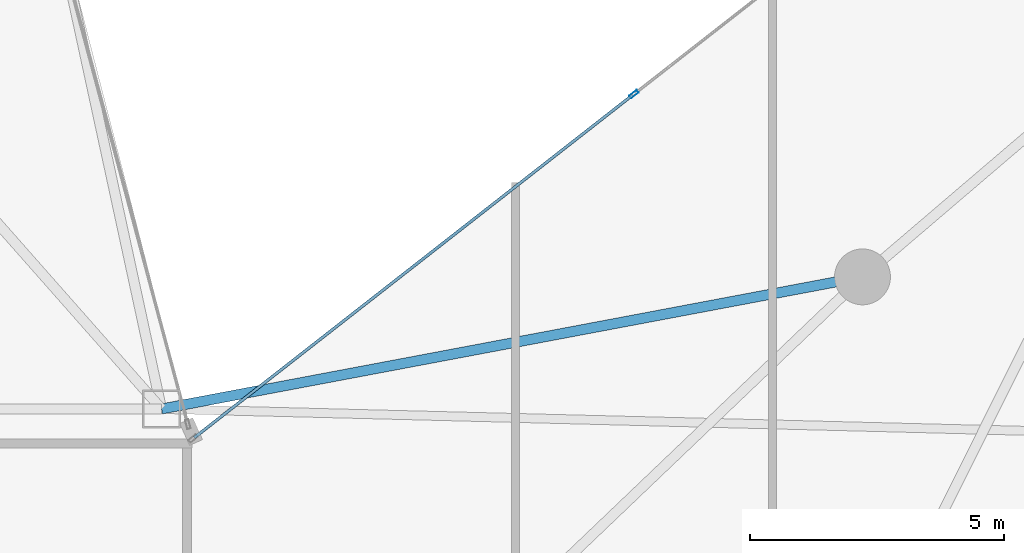
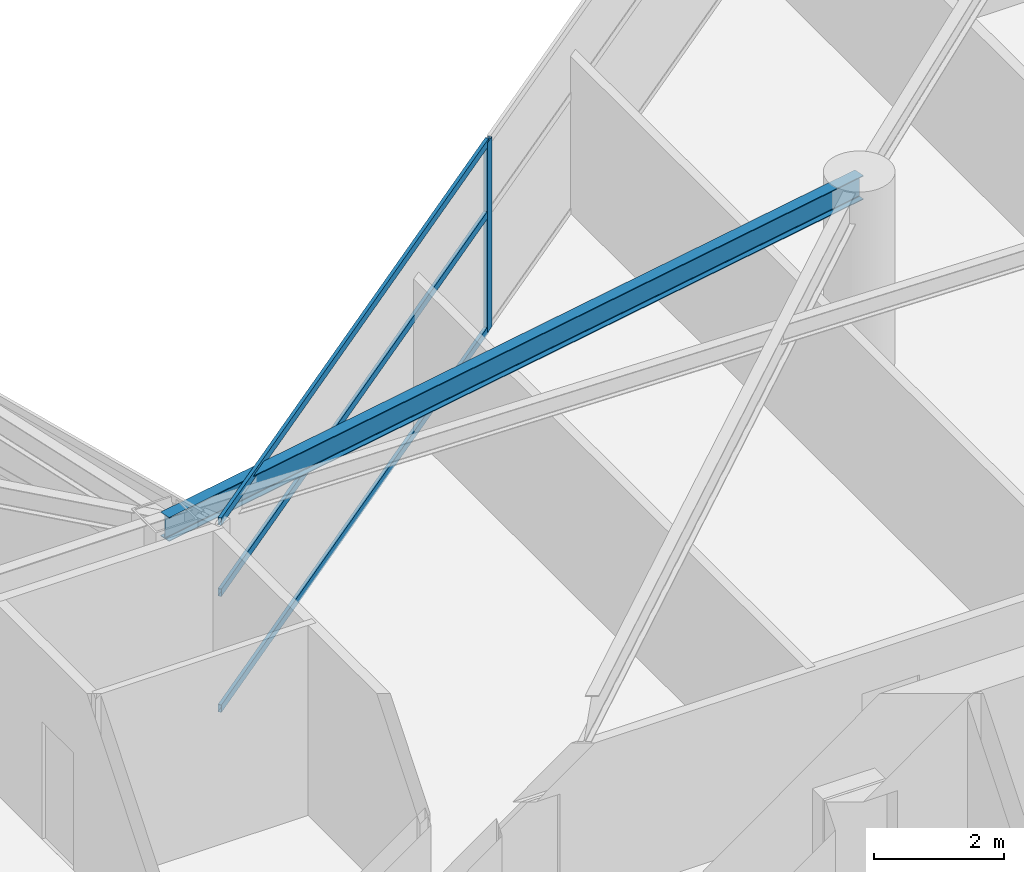
# One storey, part 11 of 29: 4 members, 1 beam, 1 element without a shape of its own.
"""IFC4 building model written with IfcOpenShell, lengths in metres."""

from ifc_helpers import new_model, si_unit, direction, frame, origin, origin_2d, place, context, subcontext, project, spatial, hollow_rectangle, i_section, extrude, material, layer, layer_set, material_profile, profile_set, type_object, element, aggregate, save


model = new_model("IFC4")

# Units and contexts
model_context = context("Model", 3, precision=1e-05, world=origin(), true_north=direction((0.0, 1.0)))
body_context = subcontext(model_context, "Body", "Model", "MODEL_VIEW")
ifc_project = project(units=[si_unit("LENGTHUNIT", "METRE"), si_unit("AREAUNIT", "SQUARE_METRE"), si_unit("VOLUMEUNIT", "CUBIC_METRE"), si_unit("PLANEANGLEUNIT", "RADIAN"), si_unit("MASSUNIT", "GRAM", prefix="KILO")], contexts=[model_context])

# Site, building, storey
site_placement = place(None, origin())
site = spatial("IfcSite", under=ifc_project, at=site_placement, CompositionType="ELEMENT")
building_placement = place(site_placement, origin())
building = spatial("IfcBuilding", under=site, at=building_placement, Name="Calvorn Quay Hotel", CompositionType="ELEMENT")
storey_placement = place(building_placement, frame((0.0, 0.0, 211.0)))
storey = spatial("IfcBuildingStorey", under=building, at=storey_placement, Name="L52", CompositionType="ELEMENT", Elevation=211.0)

# Beam
ifc_material_1 = material(Name="Steel Q355B", Category="steel")
ifc_material_profile_1 = material_profile(ifc_material_1, i_section(OverallWidth=0.199951171875, OverallDepth=0.449951171875, WebThickness=0.009033203125, FlangeThickness=0.013916015625, FilletRadius=0.01611328125, at=origin_2d()), Name="HN450x200x9x14")
ifc_profile_set_1 = profile_set([ifc_material_profile_1], Name="Steel Q355B")
beam_type = type_object("IfcBeamType", Name="BM-SPANDREL-Z3", PredefinedType="SPANDREL", material=ifc_profile_set_1)
beam_placement = place(storey_placement, frame((34.800048828125, 27.60009765625, 3.31494140625), z_axis=(-0.982709432406, -0.185154452988, 0.0), x_axis=(0.185154452988, -0.982709432406, 0.0)))
element("IfcBeam", 1, at=beam_placement, inside=storey, type_object=beam_type, Name="Beam BSP-L52-E4", PredefinedType="SPANDREL", context=body_context, shape_type="SweptSolid", body=[
    extrude(i_section(OverallWidth=0.199951171875, OverallDepth=0.449951171875, WebThickness=0.009033203125, FlangeThickness=0.013916015625, FilletRadius=0.01611328125, at=origin_2d()), origin(), (0.0, 0.0, 1.0), 14.04296875),
])

# Curtain wall, members
ifc_material_2 = material(Name="Champagne Bronze Anodised Aluminium and Low-E Glass", Category="aluminium")
ifc_layer = layer(ifc_material_2, 0.219970703125)
ifc_layer_set = layer_set([ifc_layer], Name="CW-SYS-Z3")
curtain_wall_type = type_object("IfcCurtainWallType", Name="CW-SYS-Z3", PredefinedType="NOTDEFINED", material=ifc_layer_set)
curtain_wall_placement = place(storey_placement, origin())
curtain_wall = element("IfcCurtainWall", 2, at=curtain_wall_placement, inside=storey, type_object=curtain_wall_type, Name="Inner Court Curtain Wall L52-NE1", PredefinedType="NOTDEFINED")
ifc_material_3 = material(Name="Champagne Bronze Anodised Aluminium 6063-T6", Category="aluminium")
ifc_material_profile_2 = material_profile(ifc_material_3, hollow_rectangle(XDim=0.068115234375, YDim=0.18505859375, WallThickness=0.00390625, at=origin_2d()), Name="ALU-M185x68x4")
ifc_profile_set_2 = profile_set([ifc_material_profile_2], Name="Champagne Bronze Anodised Aluminium 6063-T6")
member_type_1 = type_object("IfcMemberType", Name="CW-SYS-Z3-MUL", PredefinedType="MULLION", material=ifc_profile_set_2)
member_1_placement = place(storey_placement, frame((30.300048828125, 31.199951171875, 0.0), z_axis=(0.0, 0.0, 1.0), x_axis=(0.615819768044, -0.787887056174, 0.0)))
member_1 = element("IfcMember", 3, at=member_1_placement, type_object=member_type_1, Name="CW-L52-NE1 mullion 2", PredefinedType="MULLION", context=body_context, shape_type="SweptSolid", body=[
    extrude(hollow_rectangle(XDim=0.068115234375, YDim=0.18505859375, WallThickness=0.00390625, at=origin_2d()), origin(), (0.0, 0.0, 1.0), 3.56005859375),
])
ifc_material_4 = material(Name="Champagne Bronze Anodised Aluminium 6063-T6", Category="aluminium")
ifc_material_profile_3 = material_profile(ifc_material_4, hollow_rectangle(XDim=0.05810546875, YDim=0.139892578125, WallThickness=0.003173828125, at=origin_2d()), Name="ALU-T140x58x3.2")
ifc_profile_set_3 = profile_set([ifc_material_profile_3], Name="Champagne Bronze Anodised Aluminium 6063-T6")
member_type_2 = type_object("IfcMemberType", Name="CW-SYS-Z3-TRN", PredefinedType="USERDEFINED", material=ifc_profile_set_3)
member_2_placement = place(storey_placement, frame((30.2763671875, 31.181640625, 0.030029296875), z_axis=(-0.787886807538, -0.615820086152, 0.0), x_axis=(0.615820086152, -0.787886807538, 0.0)))
member_2 = element("IfcMember", 4, at=member_2_placement, type_object=member_type_2, Name="CW-L52-NE1 transom 2.1", ObjectType="TRANSOM", PredefinedType="USERDEFINED", context=body_context, shape_type="SweptSolid", body=[
    extrude(hollow_rectangle(XDim=0.05810546875, YDim=0.139892578125, WallThickness=0.003173828125, at=origin_2d()), origin(), (0.0, 0.0, 1.0), 10.952392578125),
])
member_3_placement = place(storey_placement, frame((30.2763671875, 31.181640625, 2.199951171875), z_axis=(-0.787886807538, -0.615820086152, 0.0), x_axis=(0.615820086152, -0.787886807538, 0.0)))
member_3 = element("IfcMember", 5, at=member_3_placement, type_object=member_type_2, Name="CW-L52-NE1 transom 2.2", ObjectType="TRANSOM", PredefinedType="USERDEFINED", context=body_context, shape_type="SweptSolid", body=[
    extrude(hollow_rectangle(XDim=0.05810546875, YDim=0.139892578125, WallThickness=0.003173828125, at=origin_2d()), origin(), (0.0, 0.0, 1.0), 10.952392578125),
])
member_4_placement = place(storey_placement, frame((30.2763671875, 31.181640625, 3.530029296875), z_axis=(-0.787886807538, -0.615820086152, 0.0), x_axis=(0.615820086152, -0.787886807538, 0.0)))
member_4 = element("IfcMember", 6, at=member_4_placement, type_object=member_type_2, Name="CW-L52-NE1 transom 2.3", ObjectType="TRANSOM", PredefinedType="USERDEFINED", context=body_context, shape_type="SweptSolid", body=[
    extrude(hollow_rectangle(XDim=0.05810546875, YDim=0.139892578125, WallThickness=0.003173828125, at=origin_2d()), origin(), (0.0, 0.0, 1.0), 10.952392578125),
])
aggregate(curtain_wall, [member_1, member_2, member_3, member_4])

save(model, "model.ifc")
